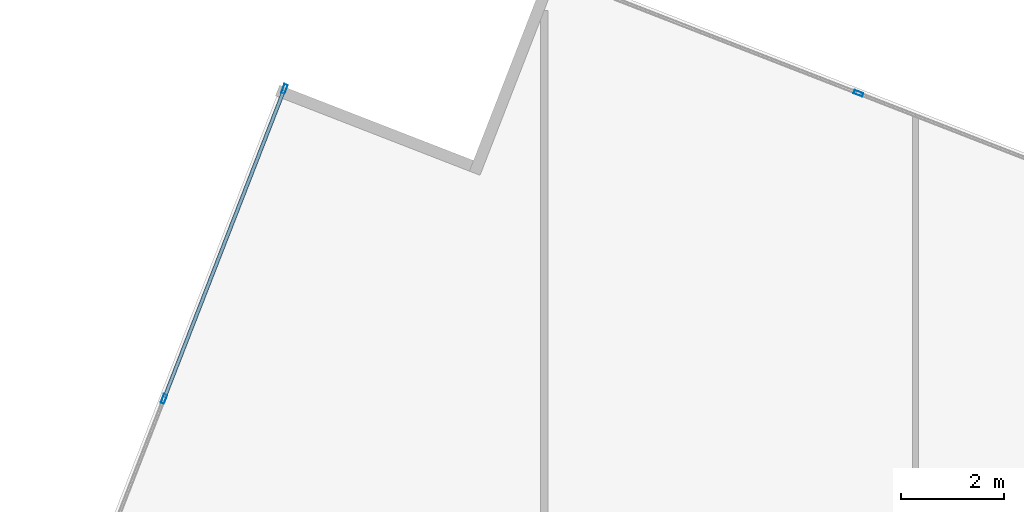
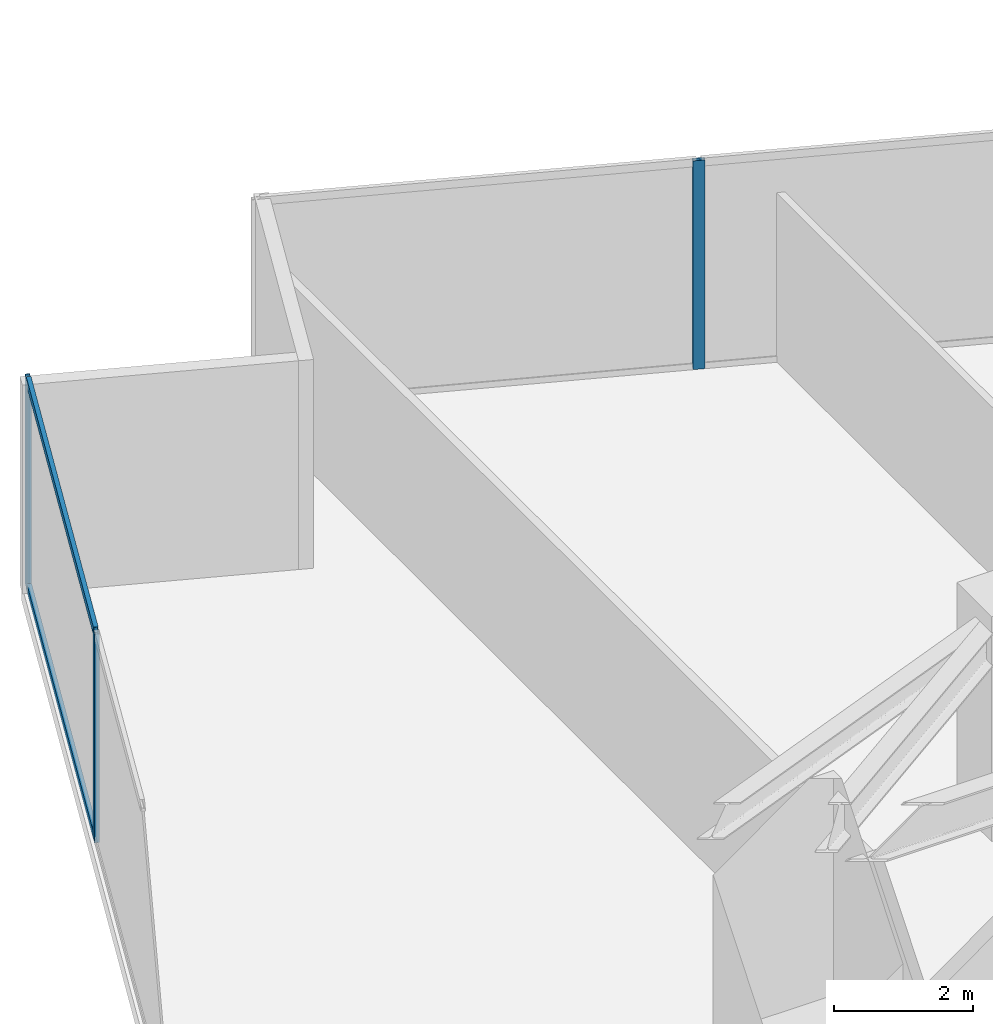
# One storey, part 16 of 26: 5 members, 2 elements without a shape of their own.
"""IFC4 building model written with IfcOpenShell, lengths in metres."""

from ifc_helpers import new_model, si_unit, direction, frame, origin, origin_2d, place, context, subcontext, project, spatial, hollow_rectangle, extrude, source, transform, mapped, material, material_profile, profile_set, type_object, type_shapes, element, aggregate, save


model = new_model("IFC4")

# Units and contexts
model_context = context("Model", 3, precision=1e-05, world=origin(), true_north=direction((0.0, 1.0)))
body_context = subcontext(model_context, "Body", "Model", "MODEL_VIEW")
ifc_project = project(units=[si_unit("LENGTHUNIT", "METRE"), si_unit("AREAUNIT", "SQUARE_METRE"), si_unit("VOLUMEUNIT", "CUBIC_METRE"), si_unit("PLANEANGLEUNIT", "RADIAN"), si_unit("MASSUNIT", "GRAM", prefix="KILO")], contexts=[model_context])

# Site, building, storey
site_placement = place(None, origin())
site = spatial("IfcSite", under=ifc_project, at=site_placement, CompositionType="ELEMENT")
building_placement = place(site_placement, origin())
building = spatial("IfcBuilding", under=site, at=building_placement, Name="Krantzveldt Concourse Tower", CompositionType="ELEMENT")
storey_placement = place(building_placement, frame((0.0, 0.0, 133.5)))
storey = spatial("IfcBuildingStorey", under=building, at=storey_placement, Name="L32", CompositionType="ELEMENT", Elevation=133.5)

# Curtain wall, members
ifc_material = material(Name="Anodised aluminium 6063-T6", Category="aluminium")
curtain_wall_type = type_object("IfcCurtainWallType", Name="CW2", PredefinedType="USERDEFINED", material=ifc_material)
curtain_wall_1_placement = place(storey_placement, origin())
curtain_wall_1 = element("IfcCurtainWall", 1, at=curtain_wall_1_placement, inside=storey, type_object=curtain_wall_type, Name="CW-L32-F01", ObjectType="UNITISED CURTAIN WALL", PredefinedType="USERDEFINED")
ifc_material_profile_1 = material_profile(ifc_material, hollow_rectangle(XDim=0.070068359375, YDim=0.179931640625, WallThickness=0.0048828125, at=origin_2d()), Name="Anodised aluminium 6063-T6", Category="aluminium")
ifc_profile_set_1 = profile_set([ifc_material_profile_1], Name="Anodised aluminium 6063-T6 - ALU-MULL 180x70x5")
member_type_1 = type_object("IfcMemberType", Name="CW-MUL-180", PredefinedType="MULLION", material=ifc_profile_set_1)
shared_shape_1 = source(origin(), body_context, "Body", "SweptSolid", [
    extrude(hollow_rectangle(XDim=0.070068359375, YDim=0.179931640625, WallThickness=0.0048828125, at=origin_2d()), origin(), (0.0, 0.0, 1.0), 3.669921875),
])
type_shapes(member_type_1, [shared_shape_1])
member_1_placement = place(storey_placement, frame((21.29345703125, 53.19677734375, 0.0), z_axis=(0.0, 0.0, 1.0), x_axis=(0.93200790248, -0.362437952917, 0.0)))
member_1 = element("IfcMember", 2, at=member_1_placement, type_object=member_type_1, Name="CW-Z12 mullion 1", PredefinedType="MULLION", context=body_context, shape_type="MappedRepresentation", body=[
    mapped(shared_shape_1, transform((0.0, 0.0, 0.0), x_axis=(1.0, 0.0, 0.0), y_axis=(0.0, 1.0, 0.0), z_axis=(0.0, 0.0, 1.0), scale=1.0)),
])
member_2_placement = place(storey_placement, frame((18.96240234375, 47.202392578125, 0.0), z_axis=(0.0, 0.0, 1.0), x_axis=(0.93200790248, -0.362437952917, 0.0)))
member_2 = element("IfcMember", 3, at=member_2_placement, type_object=member_type_1, Name="CW-Z12 mullion 2", PredefinedType="MULLION", context=body_context, shape_type="MappedRepresentation", body=[
    mapped(shared_shape_1, transform((0.0, 0.0, 0.0), x_axis=(1.0, 0.0, 0.0), y_axis=(0.0, 1.0, 0.0), z_axis=(0.0, 0.0, 1.0), scale=1.0)),
])

# Curtain wall, member
curtain_wall_2_placement = place(storey_placement, origin())
curtain_wall_2 = element("IfcCurtainWall", 4, at=curtain_wall_2_placement, inside=storey, type_object=curtain_wall_type, Name="CW-L32-F14", ObjectType="UNITISED CURTAIN WALL", PredefinedType="USERDEFINED")
member_3_placement = place(storey_placement, frame((32.39453125, 53.112548828125, 0.0), z_axis=(0.0, 0.0, 1.0), x_axis=(-0.362437952917, -0.93200790248, 0.0)))
member_3 = element("IfcMember", 5, at=member_3_placement, type_object=member_type_1, Name="CW-Z12 mullion 6", PredefinedType="MULLION", context=body_context, shape_type="MappedRepresentation", body=[
    mapped(shared_shape_1, transform((0.0, 0.0, 0.0), x_axis=(1.0, 0.0, 0.0), y_axis=(0.0, 1.0, 0.0), z_axis=(0.0, 0.0, 1.0), scale=1.0)),
])
aggregate(curtain_wall_2, [member_3])

# Member
ifc_material_profile_2 = material_profile(ifc_material, hollow_rectangle(XDim=0.070068359375, YDim=0.139892578125, WallThickness=0.0048828125, at=origin_2d()), Name="Anodised aluminium 6063-T6", Category="aluminium")
ifc_profile_set_2 = profile_set([ifc_material_profile_2], Name="Anodised aluminium 6063-T6 - ALU-TRAN 140x70x5")
member_type_2 = type_object("IfcMemberType", Name="CW-TRN-150", PredefinedType="USERDEFINED", material=ifc_profile_set_2)
shared_shape_2 = source(origin(), body_context, "Body", "SweptSolid", [
    extrude(hollow_rectangle(XDim=0.070068359375, YDim=0.139892578125, WallThickness=0.0048828125, at=origin_2d()), origin(), (0.0, 0.0, 1.0), 6.361572265625),
])
type_shapes(member_type_2, [shared_shape_2])
member_4_placement = place(storey_placement, frame((21.28076171875, 53.1640625, 0.034912109375), z_axis=(-0.362440705101, -0.93200683221, 0.0), x_axis=(0.93200683221, -0.362440705101, 0.0)))
member_4 = element("IfcMember", 6, at=member_4_placement, type_object=member_type_2, Name="CW-Z12 transom 1.1", ObjectType="TRANSOM", PredefinedType="USERDEFINED", context=body_context, shape_type="MappedRepresentation", body=[
    mapped(shared_shape_2, transform((0.0, 0.0, 0.0), x_axis=(1.0, 0.0, 0.0), y_axis=(0.0, 1.0, 0.0), z_axis=(0.0, 0.0, 1.0), scale=1.0)),
])

member_5_placement = place(storey_placement, frame((21.28076171875, 53.1640625, 3.635009765625), z_axis=(-0.362440705101, -0.93200683221, 0.0), x_axis=(0.93200683221, -0.362440705101, 0.0)))
member_5 = element("IfcMember", 7, at=member_5_placement, type_object=member_type_2, Name="CW-Z12 transom 1.2", ObjectType="TRANSOM", PredefinedType="USERDEFINED", context=body_context, shape_type="MappedRepresentation", body=[
    mapped(shared_shape_2, transform((0.0, 0.0, 0.0), x_axis=(1.0, 0.0, 0.0), y_axis=(0.0, 1.0, 0.0), z_axis=(0.0, 0.0, 1.0), scale=1.0)),
])

aggregate(curtain_wall_1, [member_1, member_2, member_4, member_5])

save(model, "model.ifc")
